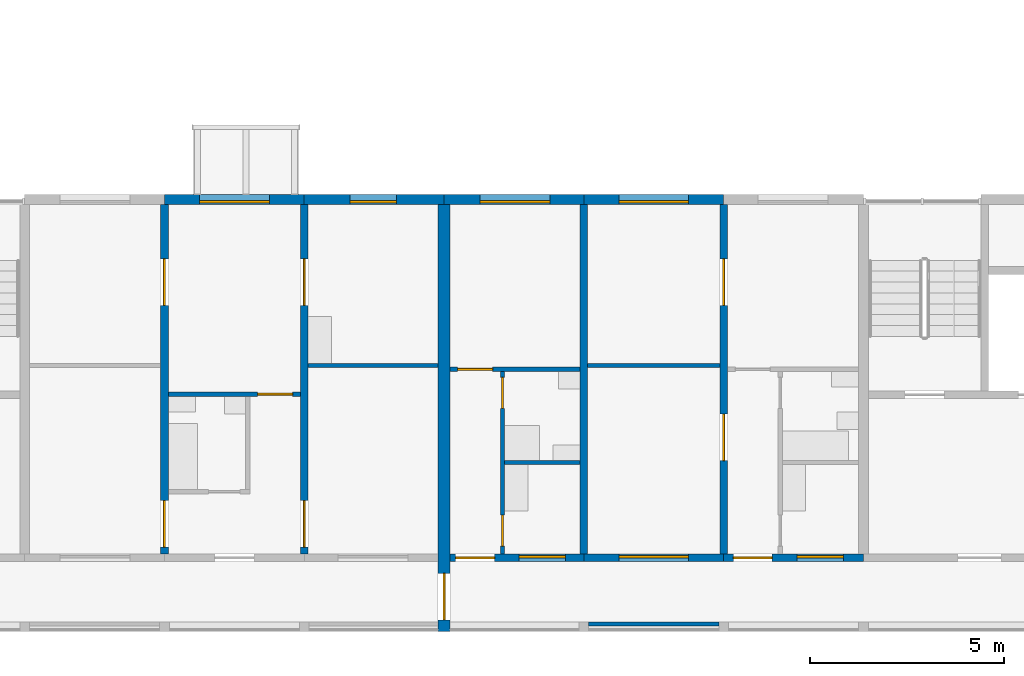
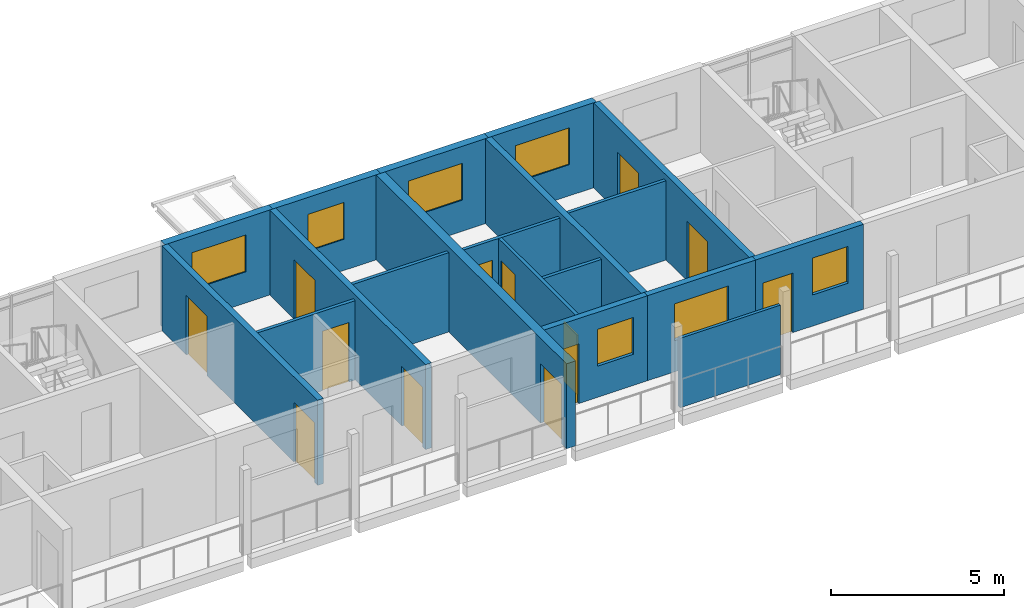
# One storey, part 45 of 94: 19 walls, 13 doors, 7 windows, 20 openings.
"""IFC4 building model written with IfcOpenShell, lengths in metres."""

from ifc_helpers import new_model, si_unit, direction, frame, frame_2d, origin, place, context, subcontext, project, spatial, rectangle, extrude, material, layer, layer_set, type_object, element, fill, save


model = new_model("IFC4")

# Units and contexts
model_context = context("Model", 3, precision=1e-05, world=origin(), true_north=direction((0.0, 1.0)))
body_context = subcontext(model_context, "Body", "Model", "MODEL_VIEW")
ifc_project = project(units=[si_unit("LENGTHUNIT", "METRE"), si_unit("AREAUNIT", "SQUARE_METRE"), si_unit("VOLUMEUNIT", "CUBIC_METRE"), si_unit("PLANEANGLEUNIT", "RADIAN"), si_unit("MASSUNIT", "GRAM", prefix="KILO")], contexts=[model_context])

# Site, building, storey
site_placement = place(None, origin())
site = spatial("IfcSite", under=ifc_project, at=site_placement, CompositionType="ELEMENT")
building_placement = place(site_placement, origin())
building = spatial("IfcBuilding", under=site, at=building_placement, Name="Ridgestep Commons", CompositionType="ELEMENT")
storey_placement = place(building_placement, frame((0.0, 0.0, 21.0)))
storey = spatial("IfcBuildingStorey", under=building, at=storey_placement, Name="L07", CompositionType="ELEMENT", Elevation=21.0)

# Wall, openings, doors
ifc_material_1 = material(Name="Precast concrete C40/50", Category="concrete")
ifc_layer_1 = layer(ifc_material_1, 0.199951171875)
ifc_layer_set_1 = layer_set([ifc_layer_1], Name="Cross wall 200")
wall_type_1 = type_object("IfcWallType", Name="Cross wall 200", PredefinedType="SHEAR", material=ifc_layer_set_1)
wall_1_placement = place(storey_placement, frame((173.199951171875, 13.75, 0.0), z_axis=(0.0, 0.0, 1.0), x_axis=(0.0, 1.0, 0.0)))
wall_1 = element("IfcWall", 1, at=wall_1_placement, inside=storey, type_object=wall_type_1, Name="Cross wall D-07-1732", PredefinedType="SHEAR", context=body_context, shape_type="SweptSolid", body=[
    extrude(rectangle(XDim=9.0, YDim=0.199951171875, at=frame_2d((4.5, 0.0))), origin(), (0.0, 0.0, 1.0), 3.0),
])
opening_1_placement = place(wall_1_placement, frame((0.175048828125, 0.0, 0.0)))
opening_1 = element("IfcOpeningElement", 2, at=opening_1_placement, cuts=wall_1, Name="Opening D2-07a/4", PredefinedType="OPENING", context=body_context, shape_type="SweptSolid", body=[
    extrude(rectangle(XDim=1.199951171875, YDim=2.10009765625, at=frame_2d((0.60009765625, 1.050048828125))), frame((0.0, 0.10986328125, 0.0), z_axis=(0.0, -1.0, 0.0), x_axis=(1.0, 0.0, 0.0)), (0.0, 0.0, 1.0), 0.219970703125),
])
opening_2_placement = place(wall_1_placement, frame((6.39990234375, 0.0, 0.0)))
opening_2 = element("IfcOpeningElement", 3, at=opening_2_placement, cuts=wall_1, Name="Opening D2-07a/5", PredefinedType="OPENING", context=body_context, shape_type="SweptSolid", body=[
    extrude(rectangle(XDim=1.199951171875, YDim=2.10009765625, at=frame_2d((0.60009765625, 1.050048828125))), frame((0.0, 0.10986328125, 0.0), z_axis=(0.0, -1.0, 0.0), x_axis=(1.0, 0.0, 0.0)), (0.0, 0.0, 1.0), 0.219970703125),
])
ifc_material_2 = material(Name="Timber door leaf", Category="wood")
door_type_1 = type_object("IfcDoorType", Name="Double door 1200 x 2100", OperationType="DOUBLE_DOOR_SINGLE_SWING", PredefinedType="DOOR", material=ifc_material_2)
door_1_placement = place(opening_1_placement, origin())
door_1 = element("IfcDoor", 4, at=door_1_placement, inside=storey, type_object=door_type_1, Name="Double door D2-07a/4", OperationType="DOUBLE_DOOR_SINGLE_SWING", OverallHeight=2.10009765625, OverallWidth=1.199951171875, PredefinedType="DOOR", context=body_context, shape_type="SweptSolid", body=[
    extrude(rectangle(XDim=1.199951171875, YDim=2.10009765625, at=frame_2d((0.60009765625, 1.050048828125))), frame((0.0, 0.02490234375, 0.0), z_axis=(0.0, -1.0, 0.0), x_axis=(1.0, 0.0, 0.0)), (0.0, 0.0, 1.0), 0.050048828125),
])
fill(opening_1, door_1)
door_2_placement = place(opening_2_placement, origin())
door_2 = element("IfcDoor", 5, at=door_2_placement, inside=storey, type_object=door_type_1, Name="Double door D2-07a/5", OperationType="DOUBLE_DOOR_SINGLE_SWING", OverallHeight=2.10009765625, OverallWidth=1.199951171875, PredefinedType="DOOR", context=body_context, shape_type="SweptSolid", body=[
    extrude(rectangle(XDim=1.199951171875, YDim=2.10009765625, at=frame_2d((0.60009765625, 1.050048828125))), frame((0.0, 0.02490234375, 0.0), z_axis=(0.0, -1.0, 0.0), x_axis=(1.0, 0.0, 0.0)), (0.0, 0.0, 1.0), 0.050048828125),
])
fill(opening_2, door_2)

wall_2_placement = place(storey_placement, frame((176.800048828125, 13.75, 0.0), z_axis=(0.0, 0.0, 1.0), x_axis=(0.0, 1.0, 0.0)))
wall_2 = element("IfcWall", 6, at=wall_2_placement, inside=storey, type_object=wall_type_1, Name="Cross wall D-07-1768", PredefinedType="SHEAR", context=body_context, shape_type="SweptSolid", body=[
    extrude(rectangle(XDim=9.0, YDim=0.199951171875, at=frame_2d((4.5, 0.0))), origin(), (0.0, 0.0, 1.0), 3.0),
])
opening_3_placement = place(wall_2_placement, frame((0.175048828125, 0.0, 0.0)))
opening_3 = element("IfcOpeningElement", 7, at=opening_3_placement, cuts=wall_2, Name="Opening D2-07a/6", PredefinedType="OPENING", context=body_context, shape_type="SweptSolid", body=[
    extrude(rectangle(XDim=1.199951171875, YDim=2.10009765625, at=frame_2d((0.60009765625, 1.050048828125))), frame((0.0, 0.10986328125, 0.0), z_axis=(0.0, -1.0, 0.0), x_axis=(1.0, 0.0, 0.0)), (0.0, 0.0, 1.0), 0.219970703125),
])
opening_4_placement = place(wall_2_placement, frame((6.39990234375, 0.0, 0.0)))
opening_4 = element("IfcOpeningElement", 8, at=opening_4_placement, cuts=wall_2, Name="Opening D2-07a/7", PredefinedType="OPENING", context=body_context, shape_type="SweptSolid", body=[
    extrude(rectangle(XDim=1.199951171875, YDim=2.10009765625, at=frame_2d((0.60009765625, 1.050048828125))), frame((0.0, 0.10986328125, 0.0), z_axis=(0.0, -1.0, 0.0), x_axis=(1.0, 0.0, 0.0)), (0.0, 0.0, 1.0), 0.219970703125),
])
door_3_placement = place(opening_3_placement, origin())
door_3 = element("IfcDoor", 9, at=door_3_placement, inside=storey, type_object=door_type_1, Name="Double door D2-07a/6", OperationType="DOUBLE_DOOR_SINGLE_SWING", OverallHeight=2.10009765625, OverallWidth=1.199951171875, PredefinedType="DOOR", context=body_context, shape_type="SweptSolid", body=[
    extrude(rectangle(XDim=1.199951171875, YDim=2.10009765625, at=frame_2d((0.60009765625, 1.050048828125))), frame((0.0, 0.02490234375, 0.0), z_axis=(0.0, -1.0, 0.0), x_axis=(1.0, 0.0, 0.0)), (0.0, 0.0, 1.0), 0.050048828125),
])
fill(opening_3, door_3)
door_4_placement = place(opening_4_placement, origin())
door_4 = element("IfcDoor", 10, at=door_4_placement, inside=storey, type_object=door_type_1, Name="Double door D2-07a/7", OperationType="DOUBLE_DOOR_SINGLE_SWING", OverallHeight=2.10009765625, OverallWidth=1.199951171875, PredefinedType="DOOR", context=body_context, shape_type="SweptSolid", body=[
    extrude(rectangle(XDim=1.199951171875, YDim=2.10009765625, at=frame_2d((0.60009765625, 1.050048828125))), frame((0.0, 0.02490234375, 0.0), z_axis=(0.0, -1.0, 0.0), x_axis=(1.0, 0.0, 0.0)), (0.0, 0.0, 1.0), 0.050048828125),
])
fill(opening_4, door_4)

# Wall
wall_3_placement = place(storey_placement, frame((184.0, 13.75, 0.0), z_axis=(0.0, 0.0, 1.0), x_axis=(0.0, 1.0, 0.0)))
element("IfcWall", 11, at=wall_3_placement, inside=storey, type_object=wall_type_1, Name="Cross wall D-07-1840", PredefinedType="SHEAR", context=body_context, shape_type="SweptSolid", body=[
    extrude(rectangle(XDim=9.0, YDim=0.199951171875, at=frame_2d((4.5, 0.0))), origin(), (0.0, 0.0, 1.0), 3.0),
])

# Wall, openings, doors
wall_4_placement = place(storey_placement, frame((187.60009765625, 13.75, 0.0), z_axis=(0.0, 0.0, 1.0), x_axis=(0.0, 1.0, 0.0)))
wall_4 = element("IfcWall", 12, at=wall_4_placement, inside=storey, type_object=wall_type_1, Name="Cross wall D-07-1876", PredefinedType="SHEAR", context=body_context, shape_type="SweptSolid", body=[
    extrude(rectangle(XDim=9.0, YDim=0.199951171875, at=frame_2d((4.5, 0.0))), origin(), (0.0, 0.0, 1.0), 3.0),
])
opening_5_placement = place(wall_4_placement, frame((2.39990234375, 0.0, 0.0)))
opening_5 = element("IfcOpeningElement", 13, at=opening_5_placement, cuts=wall_4, Name="Opening D3-07b/5", PredefinedType="OPENING", context=body_context, shape_type="SweptSolid", body=[
    extrude(rectangle(XDim=1.199951171875, YDim=2.10009765625, at=frame_2d((0.60009765625, 1.050048828125))), frame((0.0, 0.10986328125, 0.0), z_axis=(0.0, -1.0, 0.0), x_axis=(1.0, 0.0, 0.0)), (0.0, 0.0, 1.0), 0.219970703125),
])
opening_6_placement = place(wall_4_placement, frame((6.39990234375, 0.0, 0.0)))
opening_6 = element("IfcOpeningElement", 14, at=opening_6_placement, cuts=wall_4, Name="Opening D3-07b/6", PredefinedType="OPENING", context=body_context, shape_type="SweptSolid", body=[
    extrude(rectangle(XDim=1.199951171875, YDim=2.10009765625, at=frame_2d((0.60009765625, 1.050048828125))), frame((0.0, 0.10986328125, 0.0), z_axis=(0.0, -1.0, 0.0), x_axis=(1.0, 0.0, 0.0)), (0.0, 0.0, 1.0), 0.219970703125),
])
door_5_placement = place(opening_5_placement, origin())
door_5 = element("IfcDoor", 15, at=door_5_placement, inside=storey, type_object=door_type_1, Name="Double door D3-07b/5", OperationType="DOUBLE_DOOR_SINGLE_SWING", OverallHeight=2.10009765625, OverallWidth=1.199951171875, PredefinedType="DOOR", context=body_context, shape_type="SweptSolid", body=[
    extrude(rectangle(XDim=1.199951171875, YDim=2.10009765625, at=frame_2d((0.60009765625, 1.050048828125))), frame((0.0, 0.02490234375, 0.0), z_axis=(0.0, -1.0, 0.0), x_axis=(1.0, 0.0, 0.0)), (0.0, 0.0, 1.0), 0.050048828125),
])
fill(opening_5, door_5)
door_6_placement = place(opening_6_placement, origin())
door_6 = element("IfcDoor", 16, at=door_6_placement, inside=storey, type_object=door_type_1, Name="Double door D3-07b/6", OperationType="DOUBLE_DOOR_SINGLE_SWING", OverallHeight=2.10009765625, OverallWidth=1.199951171875, PredefinedType="DOOR", context=body_context, shape_type="SweptSolid", body=[
    extrude(rectangle(XDim=1.199951171875, YDim=2.10009765625, at=frame_2d((0.60009765625, 1.050048828125))), frame((0.0, 0.02490234375, 0.0), z_axis=(0.0, -1.0, 0.0), x_axis=(1.0, 0.0, 0.0)), (0.0, 0.0, 1.0), 0.050048828125),
])
fill(opening_6, door_6)

# Wall, opening, door
ifc_material_3 = material(Name="Precast concrete C40/50", Category="concrete")
ifc_layer_2 = layer(ifc_material_3, 0.300048828125)
ifc_layer_set_2 = layer_set([ifc_layer_2], Name="Division wall 300")
wall_type_2 = type_object("IfcWallType", Name="Division wall 300", PredefinedType="SHEAR", material=ifc_layer_set_2)
wall_5_placement = place(storey_placement, frame((180.39990234375, 11.75, 0.0), z_axis=(0.0, 0.0, 1.0), x_axis=(0.0, 1.0, 0.0)))
wall_5 = element("IfcWall", 17, at=wall_5_placement, inside=storey, type_object=wall_type_2, Name="Cross wall D-07-1804", PredefinedType="SHEAR", context=body_context, shape_type="SweptSolid", body=[
    extrude(rectangle(XDim=11.0, YDim=0.300048828125, at=frame_2d((5.5, 0.0))), origin(), (0.0, 0.0, 1.0), 3.0),
])
opening_7_placement = place(wall_5_placement, frame((0.300048828125, 0.0, 0.0)))
opening_7 = element("IfcOpeningElement", 18, at=opening_7_placement, cuts=wall_5, Name="Opening D/07/G1804", PredefinedType="OPENING", context=body_context, shape_type="SweptSolid", body=[
    extrude(rectangle(XDim=1.199951171875, YDim=2.10009765625, at=frame_2d((0.60009765625, 1.050048828125))), frame((0.0, 0.159912109375, 0.0), z_axis=(0.0, -1.0, 0.0), x_axis=(1.0, 0.0, 0.0)), (0.0, 0.0, 1.0), 0.320068359375),
])
ifc_material_4 = material(Name="Steel fire door", Category="steel")
door_type_2 = type_object("IfcDoorType", Name="Division fire door 1200 x 2100 EI 240", OperationType="DOUBLE_DOOR_SINGLE_SWING", PredefinedType="DOOR", material=ifc_material_4)
door_7_placement = place(opening_7_placement, origin())
door_7 = element("IfcDoor", 19, at=door_7_placement, inside=storey, type_object=door_type_2, Name="Division fire door D/07/G1804", OperationType="DOUBLE_DOOR_SINGLE_SWING", OverallHeight=2.10009765625, OverallWidth=1.199951171875, PredefinedType="DOOR", context=body_context, shape_type="SweptSolid", body=[
    extrude(rectangle(XDim=1.199951171875, YDim=2.10009765625, at=frame_2d((0.60009765625, 1.050048828125))), frame((0.0, 0.02490234375, 0.0), z_axis=(0.0, -1.0, 0.0), x_axis=(1.0, 0.0, 0.0)), (0.0, 0.0, 1.0), 0.050048828125),
])
fill(opening_7, door_7)

# Wall, opening, window
ifc_material_5 = material(Name="Precast concrete C40/50", Category="concrete")
ifc_layer_3 = layer(ifc_material_5, 0.25)
ifc_layer_set_3 = layer_set([ifc_layer_3], Name="North facade panel 250")
wall_type_3 = type_object("IfcWallType", Name="North facade panel 250", PredefinedType="SOLIDWALL", material=ifc_layer_set_3)
wall_6_placement = place(storey_placement, frame((173.199951171875, 22.875, 0.0), z_axis=(0.0, 0.0, 1.0), x_axis=(1.0, 0.0, 0.0)))
wall_6 = element("IfcWall", 20, at=wall_6_placement, inside=storey, type_object=wall_type_3, Name="North panel D2T2 L07", PredefinedType="SOLIDWALL", context=body_context, shape_type="SweptSolid", body=[
    extrude(rectangle(XDim=3.60009765625, YDim=0.25, at=frame_2d((1.800048828125, 0.0))), origin(), (0.0, 0.0, 1.0), 3.0),
])
opening_8_placement = place(wall_6_placement, frame((0.89990234375, 0.0, 1.10009765625)))
opening_8 = element("IfcOpeningElement", 21, at=opening_8_placement, cuts=wall_6, Name="Opening W18", PredefinedType="OPENING", context=body_context, shape_type="SweptSolid", body=[
    extrude(rectangle(XDim=1.800048828125, YDim=1.300048828125, at=frame_2d((0.89990234375, 0.64990234375))), frame((0.0, 0.135009765625, 0.0), z_axis=(0.0, -1.0, 0.0), x_axis=(1.0, 0.0, 0.0)), (0.0, 0.0, 1.0), 0.27001953125),
])
ifc_material_6 = material(Name="Aluminium 6063-T6 and glass", Category="aluminium")
window_type_1 = type_object("IfcWindowType", Name="Flat window 1800 x 1300", PartitioningType="DOUBLE_PANEL_VERTICAL", PredefinedType="WINDOW", material=ifc_material_6)
window_1_placement = place(opening_8_placement, origin())
window_1 = element("IfcWindow", 22, at=window_1_placement, inside=storey, type_object=window_type_1, Name="Window D2-07a 5", OverallHeight=1.300048828125, OverallWidth=1.800048828125, PartitioningType="SINGLE_PANEL", PredefinedType="WINDOW", context=body_context, shape_type="SweptSolid", body=[
    extrude(rectangle(XDim=1.800048828125, YDim=1.300048828125, at=frame_2d((0.89990234375, 0.64990234375))), frame((0.0, -0.02490234375, 0.0), z_axis=(0.0, -1.0, 0.0), x_axis=(1.0, 0.0, 0.0)), (0.0, 0.0, 1.0), 0.06005859375),
])
fill(opening_8, window_1)

wall_7_placement = place(storey_placement, frame((176.800048828125, 22.875, 0.0), z_axis=(0.0, 0.0, 1.0), x_axis=(1.0, 0.0, 0.0)))
wall_7 = element("IfcWall", 23, at=wall_7_placement, inside=storey, type_object=wall_type_3, Name="North panel D2T1 L07", PredefinedType="SOLIDWALL", context=body_context, shape_type="SweptSolid", body=[
    extrude(rectangle(XDim=3.599853515625, YDim=0.25, at=frame_2d((1.7998046875, 0.0))), origin(), (0.0, 0.0, 1.0), 3.0),
])
opening_9_placement = place(wall_7_placement, frame((1.175048828125, 0.0, 1.10009765625)))
opening_9 = element("IfcOpeningElement", 24, at=opening_9_placement, cuts=wall_7, Name="Opening W08", PredefinedType="OPENING", context=body_context, shape_type="SweptSolid", body=[
    extrude(rectangle(XDim=1.199951171875, YDim=1.300048828125, at=frame_2d((0.60009765625, 0.64990234375))), frame((0.0, 0.135009765625, 0.0), z_axis=(0.0, -1.0, 0.0), x_axis=(1.0, 0.0, 0.0)), (0.0, 0.0, 1.0), 0.27001953125),
])
ifc_material_7 = material(Name="Aluminium 6063-T6 and glass", Category="aluminium")
window_type_2 = type_object("IfcWindowType", Name="Flat window 1200 x 1300", PartitioningType="SINGLE_PANEL", PredefinedType="WINDOW", material=ifc_material_7)
window_2_placement = place(opening_9_placement, origin())
window_2 = element("IfcWindow", 25, at=window_2_placement, inside=storey, type_object=window_type_2, Name="Window D2-07a 4", OverallHeight=1.300048828125, OverallWidth=1.199951171875, PartitioningType="SINGLE_PANEL", PredefinedType="WINDOW", context=body_context, shape_type="SweptSolid", body=[
    extrude(rectangle(XDim=1.199951171875, YDim=1.300048828125, at=frame_2d((0.60009765625, 0.64990234375))), frame((0.0, -0.02490234375, 0.0), z_axis=(0.0, -1.0, 0.0), x_axis=(1.0, 0.0, 0.0)), (0.0, 0.0, 1.0), 0.06005859375),
])
fill(opening_9, window_2)

wall_8_placement = place(storey_placement, frame((180.39990234375, 22.875, 0.0), z_axis=(0.0, 0.0, 1.0), x_axis=(1.0, 0.0, 0.0)))
wall_8 = element("IfcWall", 26, at=wall_8_placement, inside=storey, type_object=wall_type_3, Name="North panel D3T1 L07", PredefinedType="SOLIDWALL", context=body_context, shape_type="SweptSolid", body=[
    extrude(rectangle(XDim=3.60009765625, YDim=0.25, at=frame_2d((1.800048828125, 0.0))), origin(), (0.0, 0.0, 1.0), 3.0),
])
opening_10_placement = place(wall_8_placement, frame((0.925048828125, 0.0, 1.10009765625)))
opening_10 = element("IfcOpeningElement", 27, at=opening_10_placement, cuts=wall_8, Name="Opening W18", PredefinedType="OPENING", context=body_context, shape_type="SweptSolid", body=[
    extrude(rectangle(XDim=1.800048828125, YDim=1.300048828125, at=frame_2d((0.89990234375, 0.64990234375))), frame((0.0, 0.135009765625, 0.0), z_axis=(0.0, -1.0, 0.0), x_axis=(1.0, 0.0, 0.0)), (0.0, 0.0, 1.0), 0.27001953125),
])
window_3_placement = place(opening_10_placement, origin())
window_3 = element("IfcWindow", 28, at=window_3_placement, inside=storey, type_object=window_type_1, Name="Window D3-07a 2", OverallHeight=1.300048828125, OverallWidth=1.800048828125, PartitioningType="SINGLE_PANEL", PredefinedType="WINDOW", context=body_context, shape_type="SweptSolid", body=[
    extrude(rectangle(XDim=1.800048828125, YDim=1.300048828125, at=frame_2d((0.89990234375, 0.64990234375))), frame((0.0, -0.02490234375, 0.0), z_axis=(0.0, -1.0, 0.0), x_axis=(1.0, 0.0, 0.0)), (0.0, 0.0, 1.0), 0.06005859375),
])
fill(opening_10, window_3)

wall_9_placement = place(storey_placement, frame((184.0, 22.875, 0.0), z_axis=(0.0, 0.0, 1.0), x_axis=(1.0, 0.0, 0.0)))
wall_9 = element("IfcWall", 29, at=wall_9_placement, inside=storey, type_object=wall_type_3, Name="North panel D3T2 L07", PredefinedType="SOLIDWALL", context=body_context, shape_type="SweptSolid", body=[
    extrude(rectangle(XDim=3.60009765625, YDim=0.25, at=frame_2d((1.800048828125, 0.0))), origin(), (0.0, 0.0, 1.0), 3.0),
])
opening_11_placement = place(wall_9_placement, frame((0.89990234375, 0.0, 1.10009765625)))
opening_11 = element("IfcOpeningElement", 30, at=opening_11_placement, cuts=wall_9, Name="Opening W18", PredefinedType="OPENING", context=body_context, shape_type="SweptSolid", body=[
    extrude(rectangle(XDim=1.800048828125, YDim=1.300048828125, at=frame_2d((0.89990234375, 0.64990234375))), frame((0.0, 0.135009765625, 0.0), z_axis=(0.0, -1.0, 0.0), x_axis=(1.0, 0.0, 0.0)), (0.0, 0.0, 1.0), 0.27001953125),
])
window_4_placement = place(opening_11_placement, origin())
window_4 = element("IfcWindow", 31, at=window_4_placement, inside=storey, type_object=window_type_1, Name="Window D3-07b 2", OverallHeight=1.300048828125, OverallWidth=1.800048828125, PartitioningType="SINGLE_PANEL", PredefinedType="WINDOW", context=body_context, shape_type="SweptSolid", body=[
    extrude(rectangle(XDim=1.800048828125, YDim=1.300048828125, at=frame_2d((0.89990234375, 0.64990234375))), frame((0.0, -0.02490234375, 0.0), z_axis=(0.0, -1.0, 0.0), x_axis=(1.0, 0.0, 0.0)), (0.0, 0.0, 1.0), 0.06005859375),
])
fill(opening_11, window_4)

# Wall, opening, door
ifc_material_8 = material(Name="Common brick 110 mm", Category="masonry")
ifc_layer_4 = layer(ifc_material_8, 0.110107421875)
ifc_layer_set_4 = layer_set([ifc_layer_4], Name="Partition 110")
wall_type_4 = type_object("IfcWallType", Name="Partition 110", PredefinedType="PARTITIONING", material=ifc_layer_set_4)
wall_10_placement = place(storey_placement, frame((173.300048828125, 17.864990234375, 0.0), z_axis=(0.0, 0.0, 1.0), x_axis=(1.0, 0.0, 0.0)))
wall_10 = element("IfcWall", 32, at=wall_10_placement, inside=storey, type_object=wall_type_4, Name="Partition D2-07a", PredefinedType="PARTITIONING", context=body_context, shape_type="SweptSolid", body=[
    extrude(rectangle(XDim=3.39990234375, YDim=0.110107421875, at=frame_2d((1.699951171875, 0.0))), origin(), (0.0, 0.0, 1.0), 2.800048828125),
])
opening_12_placement = place(wall_10_placement, frame((2.300048828125, 0.0, 0.0)))
opening_12 = element("IfcOpeningElement", 33, at=opening_12_placement, cuts=wall_10, Name="Opening D2-07a/3", PredefinedType="OPENING", context=body_context, shape_type="SweptSolid", body=[
    extrude(rectangle(XDim=0.89990234375, YDim=2.10009765625, at=frame_2d((0.449951171875, 1.050048828125))), frame((0.0, 0.06494140625, 0.0), z_axis=(0.0, -1.0, 0.0), x_axis=(1.0, 0.0, 0.0)), (0.0, 0.0, 1.0), 0.130126953125),
])
ifc_material_9 = material(Name="Timber door leaf", Category="wood")
door_type_3 = type_object("IfcDoorType", Name="Internal door 900 x 2100", OperationType="NOTDEFINED", PredefinedType="DOOR", material=ifc_material_9)
door_8_placement = place(opening_12_placement, origin())
door_8 = element("IfcDoor", 34, at=door_8_placement, inside=storey, type_object=door_type_3, Name="Internal door D2-07a/3", OperationType="SINGLE_SWING_LEFT", OverallHeight=2.10009765625, OverallWidth=0.89990234375, PredefinedType="DOOR", context=body_context, shape_type="SweptSolid", body=[
    extrude(rectangle(XDim=0.89990234375, YDim=2.10009765625, at=frame_2d((0.449951171875, 1.050048828125))), frame((0.0, 0.02490234375, 0.0), z_axis=(0.0, -1.0, 0.0), x_axis=(1.0, 0.0, 0.0)), (0.0, 0.0, 1.0), 0.050048828125),
])
fill(opening_12, door_8)

# Wall
wall_11_placement = place(storey_placement, frame((176.89990234375, 18.60498046875, 0.0), z_axis=(0.0, 0.0, 1.0), x_axis=(1.0, 0.0, 0.0)))
element("IfcWall", 35, at=wall_11_placement, inside=storey, type_object=wall_type_4, Name="Partition D2-07a", PredefinedType="PARTITIONING", context=body_context, shape_type="SweptSolid", body=[
    extrude(rectangle(XDim=3.35009765625, YDim=0.110107421875, at=frame_2d((1.675048828125, 0.0))), origin(), (0.0, 0.0, 1.0), 2.800048828125),
])

# Wall, openings, doors
wall_12_placement = place(storey_placement, frame((181.905029296875, 13.75, 0.0), z_axis=(0.0, 0.0, 1.0), x_axis=(0.0, 1.0, 0.0)))
wall_12 = element("IfcWall", 36, at=wall_12_placement, inside=storey, type_object=wall_type_4, Name="Partition D3-07a", PredefinedType="PARTITIONING", context=body_context, shape_type="SweptSolid", body=[
    extrude(rectangle(XDim=4.699951171875, YDim=0.110107421875, at=frame_2d((2.35009765625, 0.0))), origin(), (0.0, 0.0, 1.0), 2.800048828125),
])
opening_13_placement = place(wall_12_placement, frame((0.199951171875, 0.0, 0.0)))
opening_13 = element("IfcOpeningElement", 37, at=opening_13_placement, cuts=wall_12, Name="Opening D3-07a/2", PredefinedType="OPENING", context=body_context, shape_type="SweptSolid", body=[
    extrude(rectangle(XDim=0.800048828125, YDim=2.10009765625, at=frame_2d((0.39990234375, 1.050048828125))), frame((0.0, 0.06494140625, 0.0), z_axis=(0.0, -1.0, 0.0), x_axis=(1.0, 0.0, 0.0)), (0.0, 0.0, 1.0), 0.130126953125),
])
opening_14_placement = place(wall_12_placement, frame((3.75, 0.0, 0.0)))
opening_14 = element("IfcOpeningElement", 38, at=opening_14_placement, cuts=wall_12, Name="Opening D3-07a/3", PredefinedType="OPENING", context=body_context, shape_type="SweptSolid", body=[
    extrude(rectangle(XDim=0.800048828125, YDim=2.10009765625, at=frame_2d((0.39990234375, 1.050048828125))), frame((0.0, 0.06494140625, 0.0), z_axis=(0.0, -1.0, 0.0), x_axis=(1.0, 0.0, 0.0)), (0.0, 0.0, 1.0), 0.130126953125),
])
ifc_material_10 = material(Name="Timber door leaf", Category="wood")
door_type_4 = type_object("IfcDoorType", Name="Internal door 800 x 2100", OperationType="NOTDEFINED", PredefinedType="DOOR", material=ifc_material_10)
door_9_placement = place(opening_13_placement, origin())
door_9 = element("IfcDoor", 39, at=door_9_placement, inside=storey, type_object=door_type_4, Name="Internal door D3-07a/2", OperationType="SINGLE_SWING_RIGHT", OverallHeight=2.10009765625, OverallWidth=0.800048828125, PredefinedType="DOOR", context=body_context, shape_type="SweptSolid", body=[
    extrude(rectangle(XDim=0.800048828125, YDim=2.10009765625, at=frame_2d((0.39990234375, 1.050048828125))), frame((0.0, 0.02490234375, 0.0), z_axis=(0.0, -1.0, 0.0), x_axis=(1.0, 0.0, 0.0)), (0.0, 0.0, 1.0), 0.050048828125),
])
fill(opening_13, door_9)
door_10_placement = place(opening_14_placement, origin())
door_10 = element("IfcDoor", 40, at=door_10_placement, inside=storey, type_object=door_type_4, Name="Internal door D3-07a/3", OperationType="SINGLE_SWING_LEFT", OverallHeight=2.10009765625, OverallWidth=0.800048828125, PredefinedType="DOOR", context=body_context, shape_type="SweptSolid", body=[
    extrude(rectangle(XDim=0.800048828125, YDim=2.10009765625, at=frame_2d((0.39990234375, 1.050048828125))), frame((0.0, 0.02490234375, 0.0), z_axis=(0.0, -1.0, 0.0), x_axis=(1.0, 0.0, 0.0)), (0.0, 0.0, 1.0), 0.050048828125),
])
fill(opening_14, door_10)

# Wall
wall_13_placement = place(storey_placement, frame((181.9599609375, 16.10498046875, 0.0), z_axis=(0.0, 0.0, 1.0), x_axis=(1.0, 0.0, 0.0)))
element("IfcWall", 41, at=wall_13_placement, inside=storey, type_object=wall_type_4, Name="Partition D3-07a", PredefinedType="PARTITIONING", context=body_context, shape_type="SweptSolid", body=[
    extrude(rectangle(XDim=1.93994140625, YDim=0.110107421875, at=frame_2d((0.969970703125, 0.0))), origin(), (0.0, 0.0, 1.0), 2.800048828125),
])

# Wall, opening, door
wall_14_placement = place(storey_placement, frame((180.550048828125, 18.5048828125, 0.0), z_axis=(0.0, 0.0, 1.0), x_axis=(1.0, 0.0, 0.0)))
wall_14 = element("IfcWall", 42, at=wall_14_placement, inside=storey, type_object=wall_type_4, Name="Partition D3-07a", PredefinedType="PARTITIONING", context=body_context, shape_type="SweptSolid", body=[
    extrude(rectangle(XDim=3.349853515625, YDim=0.110107421875, at=frame_2d((1.6748046875, 0.0))), origin(), (0.0, 0.0, 1.0), 2.800048828125),
])
opening_15_placement = place(wall_14_placement, frame((0.199951171875, 0.0, 0.0)))
opening_15 = element("IfcOpeningElement", 43, at=opening_15_placement, cuts=wall_14, Name="Opening D3-07a/4", PredefinedType="OPENING", context=body_context, shape_type="SweptSolid", body=[
    extrude(rectangle(XDim=0.89990234375, YDim=2.10009765625, at=frame_2d((0.449951171875, 1.050048828125))), frame((0.0, 0.06494140625, 0.0), z_axis=(0.0, -1.0, 0.0), x_axis=(1.0, 0.0, 0.0)), (0.0, 0.0, 1.0), 0.130126953125),
])
door_11_placement = place(opening_15_placement, origin())
door_11 = element("IfcDoor", 44, at=door_11_placement, inside=storey, type_object=door_type_3, Name="Internal door D3-07a/4", OperationType="SINGLE_SWING_LEFT", OverallHeight=2.10009765625, OverallWidth=0.89990234375, PredefinedType="DOOR", context=body_context, shape_type="SweptSolid", body=[
    extrude(rectangle(XDim=0.89990234375, YDim=2.10009765625, at=frame_2d((0.449951171875, 1.050048828125))), frame((0.0, 0.02490234375, 0.0), z_axis=(0.0, -1.0, 0.0), x_axis=(1.0, 0.0, 0.0)), (0.0, 0.0, 1.0), 0.050048828125),
])
fill(opening_15, door_11)

# Walls
wall_15_placement = place(storey_placement, frame((184.10009765625, 18.60498046875, 0.0), z_axis=(0.0, 0.0, 1.0), x_axis=(1.0, 0.0, 0.0)))
element("IfcWall", 45, at=wall_15_placement, inside=storey, type_object=wall_type_4, Name="Partition D3-07b", PredefinedType="PARTITIONING", context=body_context, shape_type="SweptSolid", body=[
    extrude(rectangle(XDim=3.39990234375, YDim=0.110107421875, at=frame_2d((1.699951171875, 0.0))), origin(), (0.0, 0.0, 1.0), 2.800048828125),
])
ifc_material_11 = material(Name="Precast concrete C30/37", Category="concrete")
ifc_layer_5 = layer(ifc_material_11, 0.10009765625)
ifc_layer_set_5 = layer_set([ifc_layer_5], Name="Perforated gallery screen 3350 x 2450 x 100")
wall_type_5 = type_object("IfcWallType", Name="Perforated gallery screen 3350 x 2450 x 100", PredefinedType="SOLIDWALL", material=ifc_layer_set_5)
wall_16_placement = place(storey_placement, frame((184.125, 11.949951171875, 0.0), z_axis=(0.0, 0.0, 1.0), x_axis=(1.0, 0.0, 0.0)))
element("IfcWall", 46, at=wall_16_placement, inside=storey, type_object=wall_type_5, Name="Gallery screen D3T2 07", PredefinedType="SOLIDWALL", context=body_context, shape_type="SweptSolid", body=[
    extrude(rectangle(XDim=3.35009765625, YDim=0.10009765625, at=frame_2d((1.675048828125, 0.0))), origin(), (0.0, 0.0, 1.0), 2.449951171875),
])

# Wall, openings, door, window
ifc_material_12 = material(Name="Precast concrete C40/50", Category="concrete")
ifc_layer_6 = layer(ifc_material_12, 0.199951171875)
ifc_layer_set_6 = layer_set([ifc_layer_6], Name="South facade panel 200")
wall_type_6 = type_object("IfcWallType", Name="South facade panel 200", PredefinedType="SOLIDWALL", material=ifc_layer_set_6)
wall_17_placement = place(storey_placement, frame((180.550048828125, 13.64990234375, 0.0), z_axis=(0.0, 0.0, 1.0), x_axis=(1.0, 0.0, 0.0)))
wall_17 = element("IfcWall", 47, at=wall_17_placement, inside=storey, type_object=wall_type_6, Name="South panel D3T1 L07", PredefinedType="SOLIDWALL", context=body_context, shape_type="SweptSolid", body=[
    extrude(rectangle(XDim=3.449951171875, YDim=0.199951171875, at=frame_2d((1.72509765625, 0.0))), origin(), (0.0, 0.0, 1.0), 3.0),
])
opening_16_placement = place(wall_17_placement, frame((1.780029296875, 0.0, 1.10009765625)))
opening_16 = element("IfcOpeningElement", 48, at=opening_16_placement, cuts=wall_17, Name="Opening W08", PredefinedType="OPENING", context=body_context, shape_type="SweptSolid", body=[
    extrude(rectangle(XDim=1.199951171875, YDim=1.300048828125, at=frame_2d((0.60009765625, 0.64990234375))), frame((0.0, 0.10986328125, 0.0), z_axis=(0.0, -1.0, 0.0), x_axis=(1.0, 0.0, 0.0)), (0.0, 0.0, 1.0), 0.219970703125),
])
opening_17_placement = place(wall_17_placement, frame((0.14990234375, 0.0, 0.0)))
opening_17 = element("IfcOpeningElement", 49, at=opening_17_placement, cuts=wall_17, Name="Opening D3-07a/1", PredefinedType="OPENING", context=body_context, shape_type="SweptSolid", body=[
    extrude(rectangle(XDim=1.0, YDim=2.10009765625, at=frame_2d((0.5, 1.050048828125))), frame((0.0, 0.10986328125, 0.0), z_axis=(0.0, -1.0, 0.0), x_axis=(1.0, 0.0, 0.0)), (0.0, 0.0, 1.0), 0.219970703125),
])
ifc_material_13 = material(Name="Timber door leaf", Category="wood")
door_type_5 = type_object("IfcDoorType", Name="Flat entrance door 1000 x 2100 FD30S", OperationType="NOTDEFINED", PredefinedType="DOOR", material=ifc_material_13)
door_12_placement = place(opening_17_placement, origin())
door_12 = element("IfcDoor", 50, at=door_12_placement, inside=storey, type_object=door_type_5, Name="Flat entrance door D3-07a/1", OperationType="SINGLE_SWING_LEFT", OverallHeight=2.10009765625, OverallWidth=1.0, PredefinedType="DOOR", context=body_context, shape_type="SweptSolid", body=[
    extrude(rectangle(XDim=1.0, YDim=2.10009765625, at=frame_2d((0.5, 1.050048828125))), frame((0.0, 0.02490234375, 0.0), z_axis=(0.0, -1.0, 0.0), x_axis=(1.0, 0.0, 0.0)), (0.0, 0.0, 1.0), 0.050048828125),
])
fill(opening_17, door_12)
window_5_placement = place(opening_16_placement, origin())
window_5 = element("IfcWindow", 51, at=window_5_placement, inside=storey, type_object=window_type_2, Name="Window D3-07a 1", OverallHeight=1.300048828125, OverallWidth=1.199951171875, PartitioningType="SINGLE_PANEL", PredefinedType="WINDOW", context=body_context, shape_type="SweptSolid", body=[
    extrude(rectangle(XDim=1.199951171875, YDim=1.300048828125, at=frame_2d((0.60009765625, 0.64990234375))), frame((0.0, 0.06005859375, 0.0), z_axis=(0.0, -1.0, 0.0), x_axis=(1.0, 0.0, 0.0)), (0.0, 0.0, 1.0), 0.06005859375),
])
fill(opening_16, window_5)

# Wall, opening, window
wall_18_placement = place(storey_placement, frame((184.0, 13.64990234375, 0.0), z_axis=(0.0, 0.0, 1.0), x_axis=(1.0, 0.0, 0.0)))
wall_18 = element("IfcWall", 52, at=wall_18_placement, inside=storey, type_object=wall_type_6, Name="South panel D3T2 L07", PredefinedType="SOLIDWALL", context=body_context, shape_type="SweptSolid", body=[
    extrude(rectangle(XDim=3.60009765625, YDim=0.199951171875, at=frame_2d((1.800048828125, 0.0))), origin(), (0.0, 0.0, 1.0), 3.0),
])
opening_18_placement = place(wall_18_placement, frame((0.89990234375, 0.0, 1.10009765625)))
opening_18 = element("IfcOpeningElement", 53, at=opening_18_placement, cuts=wall_18, Name="Opening W18", PredefinedType="OPENING", context=body_context, shape_type="SweptSolid", body=[
    extrude(rectangle(XDim=1.800048828125, YDim=1.300048828125, at=frame_2d((0.89990234375, 0.64990234375))), frame((0.0, 0.10986328125, 0.0), z_axis=(0.0, -1.0, 0.0), x_axis=(1.0, 0.0, 0.0)), (0.0, 0.0, 1.0), 0.219970703125),
])
window_6_placement = place(opening_18_placement, origin())
window_6 = element("IfcWindow", 54, at=window_6_placement, inside=storey, type_object=window_type_1, Name="Window D3-07b 1", OverallHeight=1.300048828125, OverallWidth=1.800048828125, PartitioningType="SINGLE_PANEL", PredefinedType="WINDOW", context=body_context, shape_type="SweptSolid", body=[
    extrude(rectangle(XDim=1.800048828125, YDim=1.300048828125, at=frame_2d((0.89990234375, 0.64990234375))), frame((0.0, 0.06005859375, 0.0), z_axis=(0.0, -1.0, 0.0), x_axis=(1.0, 0.0, 0.0)), (0.0, 0.0, 1.0), 0.06005859375),
])
fill(opening_18, window_6)

# Wall, openings, door, window
wall_19_placement = place(storey_placement, frame((187.60009765625, 13.64990234375, 0.0), z_axis=(0.0, 0.0, 1.0), x_axis=(1.0, 0.0, 0.0)))
wall_19 = element("IfcWall", 55, at=wall_19_placement, inside=storey, type_object=wall_type_6, Name="South panel D3T3 L07", PredefinedType="SOLIDWALL", context=body_context, shape_type="SweptSolid", body=[
    extrude(rectangle(XDim=3.599853515625, YDim=0.199951171875, at=frame_2d((1.7998046875, 0.0))), origin(), (0.0, 0.0, 1.0), 3.0),
])
opening_19_placement = place(wall_19_placement, frame((1.892578125, 0.0, 1.10009765625)))
opening_19 = element("IfcOpeningElement", 56, at=opening_19_placement, cuts=wall_19, Name="Opening W08", PredefinedType="OPENING", context=body_context, shape_type="SweptSolid", body=[
    extrude(rectangle(XDim=1.199951171875, YDim=1.300048828125, at=frame_2d((0.60009765625, 0.64990234375))), frame((0.0, 0.10986328125, 0.0), z_axis=(0.0, -1.0, 0.0), x_axis=(1.0, 0.0, 0.0)), (0.0, 0.0, 1.0), 0.219970703125),
])
opening_20_placement = place(wall_19_placement, frame((0.25, 0.0, 0.0)))
opening_20 = element("IfcOpeningElement", 57, at=opening_20_placement, cuts=wall_19, Name="Opening D3-07b/1", PredefinedType="OPENING", context=body_context, shape_type="SweptSolid", body=[
    extrude(rectangle(XDim=1.0, YDim=2.10009765625, at=frame_2d((0.5, 1.050048828125))), frame((0.0, 0.10986328125, 0.0), z_axis=(0.0, -1.0, 0.0), x_axis=(1.0, 0.0, 0.0)), (0.0, 0.0, 1.0), 0.219970703125),
])
door_13_placement = place(opening_20_placement, origin())
door_13 = element("IfcDoor", 58, at=door_13_placement, inside=storey, type_object=door_type_5, Name="Flat entrance door D3-07b/1", OperationType="SINGLE_SWING_LEFT", OverallHeight=2.10009765625, OverallWidth=1.0, PredefinedType="DOOR", context=body_context, shape_type="SweptSolid", body=[
    extrude(rectangle(XDim=1.0, YDim=2.10009765625, at=frame_2d((0.5, 1.050048828125))), frame((0.0, 0.02490234375, 0.0), z_axis=(0.0, -1.0, 0.0), x_axis=(1.0, 0.0, 0.0)), (0.0, 0.0, 1.0), 0.050048828125),
])
fill(opening_20, door_13)
window_7_placement = place(opening_19_placement, origin())
window_7 = element("IfcWindow", 59, at=window_7_placement, inside=storey, type_object=window_type_2, Name="Window D3-07b 3", OverallHeight=1.300048828125, OverallWidth=1.199951171875, PartitioningType="SINGLE_PANEL", PredefinedType="WINDOW", context=body_context, shape_type="SweptSolid", body=[
    extrude(rectangle(XDim=1.199951171875, YDim=1.300048828125, at=frame_2d((0.60009765625, 0.64990234375))), frame((0.0, 0.06005859375, 0.0), z_axis=(0.0, -1.0, 0.0), x_axis=(1.0, 0.0, 0.0)), (0.0, 0.0, 1.0), 0.06005859375),
])
fill(opening_19, window_7)

save(model, "model.ifc")
